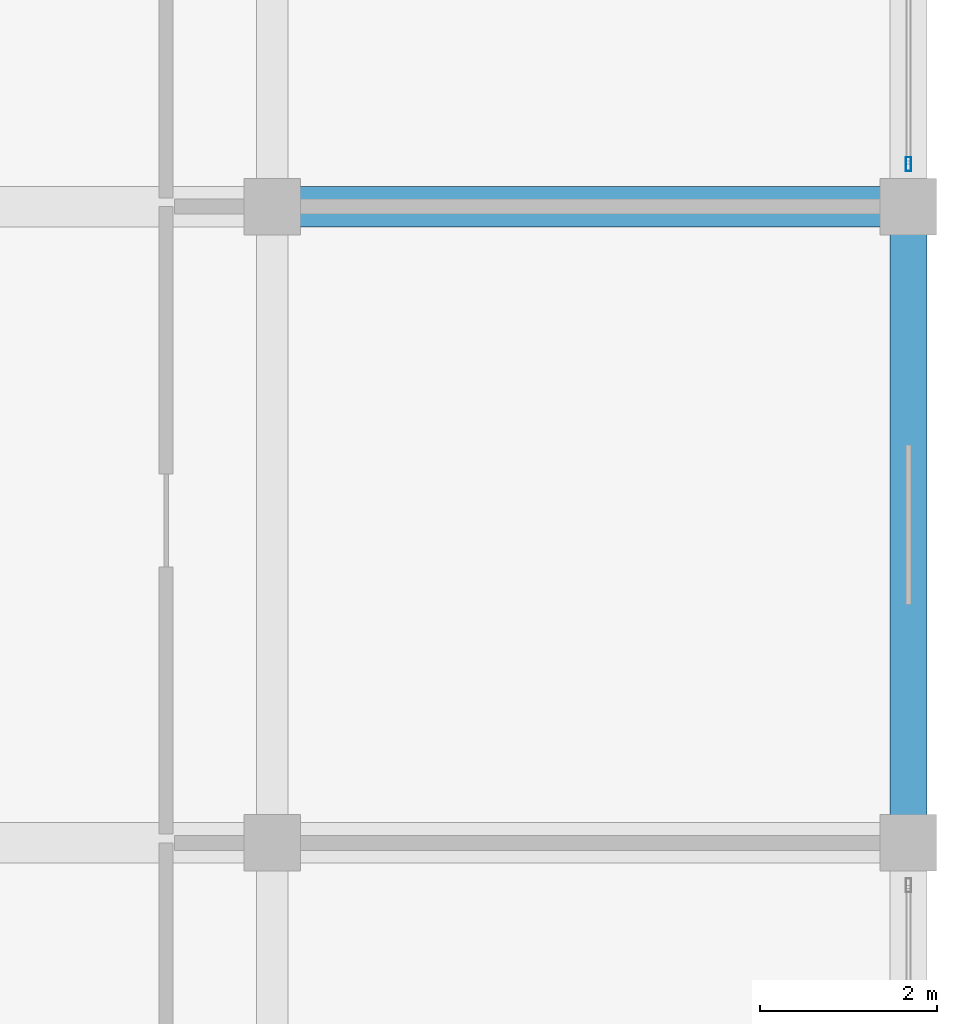
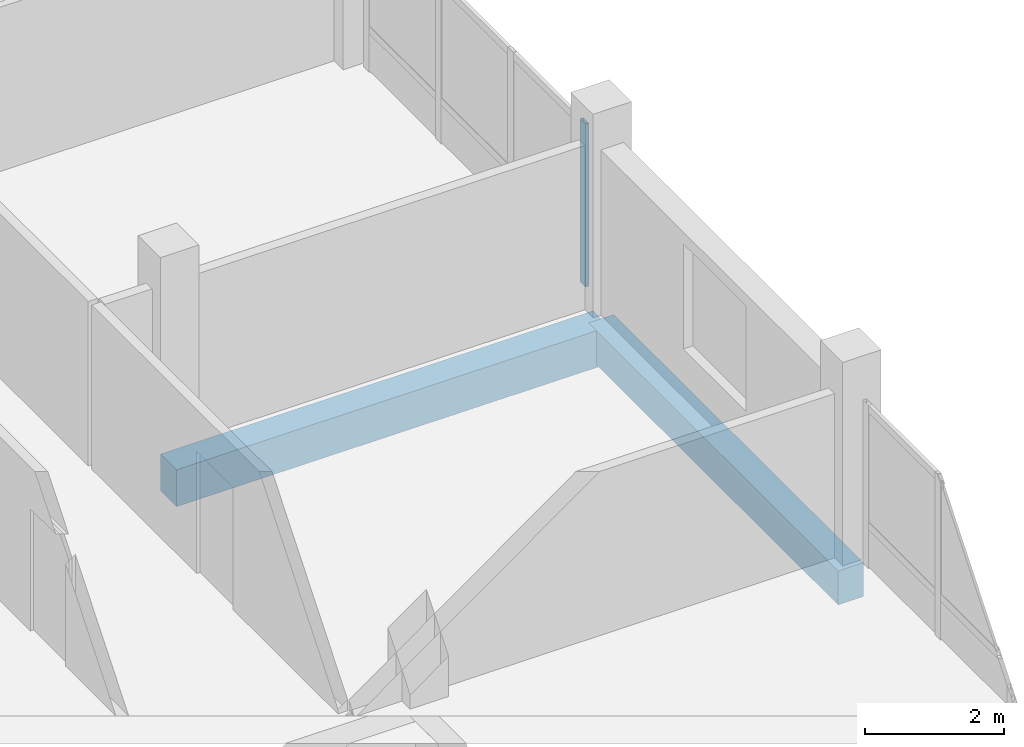
# One storey, part 92 of 128: 2 beams, 1 member, 1 element without a shape of its own.
"""IFC4 building model written with IfcOpenShell, lengths in metres."""

from ifc_helpers import new_model, si_unit, direction, frame, origin, origin_2d, place, context, subcontext, project, spatial, rectangle, hollow_rectangle, extrude, material, material_profile, profile_set, type_object, element, aggregate, save


model = new_model("IFC4")

# Units and contexts
model_context = context("Model", 3, precision=1e-05, world=origin(), true_north=direction((0.0, 1.0)))
body_context = subcontext(model_context, "Body", "Model", "MODEL_VIEW")
ifc_project = project(units=[si_unit("LENGTHUNIT", "METRE"), si_unit("AREAUNIT", "SQUARE_METRE"), si_unit("VOLUMEUNIT", "CUBIC_METRE"), si_unit("PLANEANGLEUNIT", "RADIAN"), si_unit("MASSUNIT", "GRAM", prefix="KILO")], contexts=[model_context])

# Site, building, storey
site_placement = place(None, origin())
site = spatial("IfcSite", under=ifc_project, at=site_placement, CompositionType="ELEMENT")
building_placement = place(site_placement, origin())
building = spatial("IfcBuilding", under=site, at=building_placement, Name="Zornivar Specialist Clinic", CompositionType="ELEMENT")
storey_placement = place(building_placement, frame((0.0, 0.0, 4.5)))
storey = spatial("IfcBuildingStorey", under=building, at=storey_placement, Name="L01", CompositionType="ELEMENT", Elevation=4.5)

# Beams
ifc_material_1 = material(Name="Concrete C30/37", Category="concrete")
ifc_material_profile_1 = material_profile(ifc_material_1, rectangle(XDim=0.4599609375, YDim=0.64990234375, at=origin_2d()), Name="RC 460x650")
ifc_profile_set_1 = profile_set([ifc_material_profile_1], Name="Concrete C30/37")
beam_type_1 = type_object("IfcBeamType", Name="BM-RC-460x650", PredefinedType="BEAM", material=ifc_profile_set_1)
beam_1_placement = place(storey_placement, frame((158.39990234375, 93.60009765625, -0.64501953125), z_axis=(1.0, 0.0, 0.0), x_axis=(0.0, 1.0, 0.0)))
element("IfcBeam", 1, at=beam_1_placement, inside=storey, type_object=beam_type_1, Name="bm:V6:L01:x:936:3", PredefinedType="BEAM", context=body_context, shape_type="SweptSolid", body=[
    extrude(rectangle(XDim=0.4599609375, YDim=0.64990234375, at=origin_2d()), origin(), (0.0, 0.0, 1.0), 7.2001953125),
])
ifc_material_2 = material(Name="Concrete C30/37", Category="concrete")
ifc_material_profile_2 = material_profile(ifc_material_2, rectangle(XDim=0.419921875, YDim=0.60009765625, at=origin_2d()), Name="RC 420x600")
ifc_profile_set_2 = profile_set([ifc_material_profile_2], Name="Concrete C30/37")
beam_type_2 = type_object("IfcBeamType", Name="BM-RC-SPANDREL-420x600", PredefinedType="SPANDREL", material=ifc_profile_set_2)
beam_2_placement = place(storey_placement, frame((165.60009765625, 86.39990234375, -0.6201171875), z_axis=(0.0, 1.0, 0.0), x_axis=(-1.0, 0.0, 0.0)))
element("IfcBeam", 2, at=beam_2_placement, inside=storey, type_object=beam_type_2, Name="bm:V6:L01:y:1656:3", PredefinedType="SPANDREL", context=body_context, shape_type="SweptSolid", body=[
    extrude(rectangle(XDim=0.419921875, YDim=0.60009765625, at=origin_2d()), origin(), (0.0, 0.0, 1.0), 7.2001953125),
])

# Curtain wall, member
ifc_material_3 = material(Name="Aluminium and Low-E Glass Curtain Wall", Category="aluminium")
curtain_wall_type = type_object("IfcCurtainWallType", Name="CW-LAB-NORTH", PredefinedType="NOTDEFINED", material=ifc_material_3)
curtain_wall_placement = place(storey_placement, origin())
curtain_wall = element("IfcCurtainWall", 3, at=curtain_wall_placement, inside=storey, type_object=curtain_wall_type, Name="cw:V6:L01:08", PredefinedType="NOTDEFINED")
ifc_material_4 = material(Name="Aluminium AW-6060", Category="aluminium")
ifc_material_profile_3 = material_profile(ifc_material_4, hollow_rectangle(XDim=0.06005859375, YDim=0.159912109375, WallThickness=0.00390625, at=origin_2d()), Name="ALU 60x160x4")
ifc_profile_set_3 = profile_set([ifc_material_profile_3], Name="Aluminium AW-6060")
member_type = type_object("IfcMemberType", Name="CWM-MUL-160", PredefinedType="MULLION", material=ifc_profile_set_3)
member_placement = place(storey_placement, frame((165.60009765625, 94.080078125, 0.0), z_axis=(0.0, 0.0, 1.0), x_axis=(1.0, 0.0, 0.0)))
member = element("IfcMember", 4, at=member_placement, type_object=member_type, Name="cw:V6:L01:08:mul:0", PredefinedType="MULLION", context=body_context, shape_type="SweptSolid", body=[
    extrude(hollow_rectangle(XDim=0.06005859375, YDim=0.159912109375, WallThickness=0.00390625, at=origin_2d()), origin(), (0.0, 0.0, 1.0), 2.8701171875),
])
aggregate(curtain_wall, [member])

save(model, "model.ifc")
